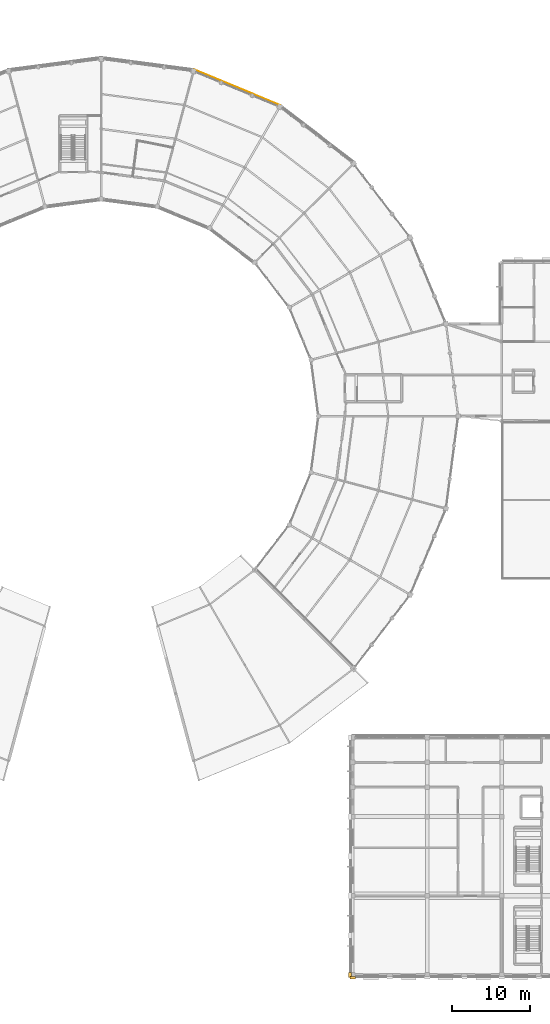
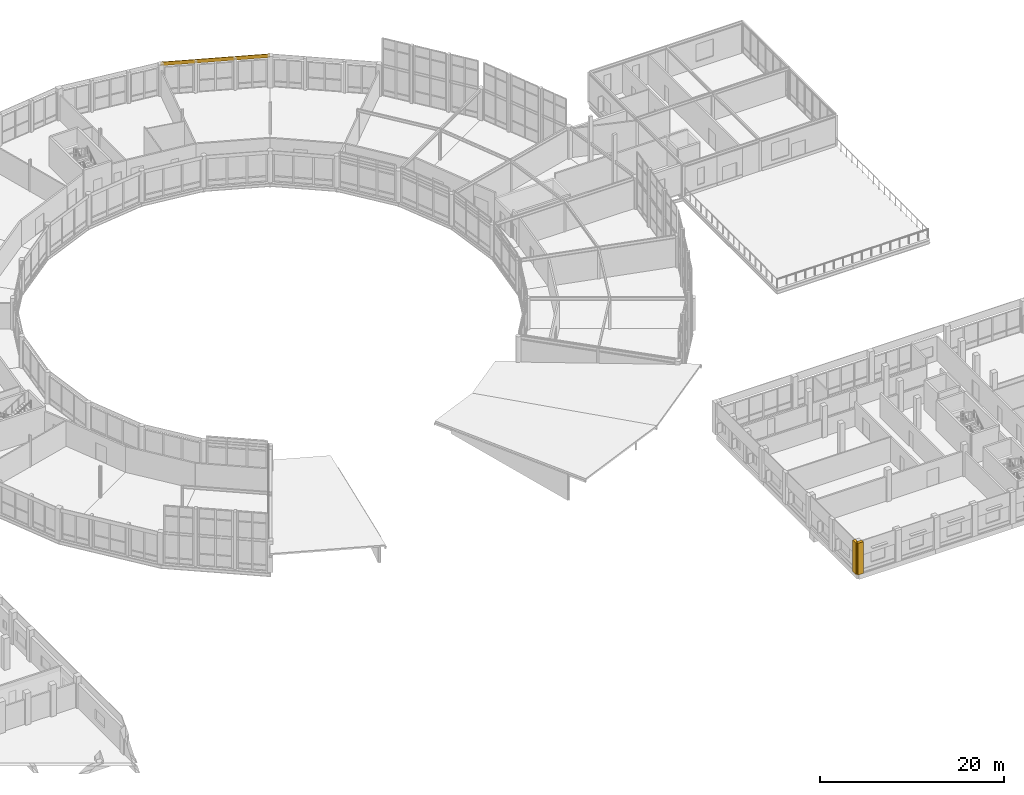
# One storey, part 181 of 185: 3 coverings.
"""IFC4 building model written with IfcOpenShell, lengths in metres."""

from ifc_helpers import new_model, si_unit, direction, frame, origin, origin_2d, place, context, subcontext, project, spatial, rectangle, extrude, material, layer, layer_set, type_object, element, save


model = new_model("IFC4")

# Units and contexts
model_context = context("Model", 3, precision=1e-05, world=origin(), true_north=direction((0.0, 1.0)))
body_context = subcontext(model_context, "Body", "Model", "MODEL_VIEW")
ifc_project = project(units=[si_unit("LENGTHUNIT", "METRE"), si_unit("AREAUNIT", "SQUARE_METRE"), si_unit("VOLUMEUNIT", "CUBIC_METRE"), si_unit("PLANEANGLEUNIT", "RADIAN"), si_unit("MASSUNIT", "GRAM", prefix="KILO")], contexts=[model_context])

# Site, building, storey
site_placement = place(None, origin())
site = spatial("IfcSite", under=ifc_project, at=site_placement, CompositionType="ELEMENT")
building_placement = place(site_placement, origin())
building = spatial("IfcBuilding", under=site, at=building_placement, Name="Vondelvale Polytechnic", CompositionType="ELEMENT")
storey_placement = place(building_placement, frame((0.0, 0.0, 9.60009765625)))
storey = spatial("IfcBuildingStorey", under=building, at=storey_placement, Name="L02", CompositionType="ELEMENT", Elevation=9.60009765625)

# Coverings
ifc_material_1 = material(Name="Amsterdam School iron-spot clinker clay brickwork", Category="masonry")
ifc_layer_1 = layer(ifc_material_1, 0.090087890625)
ifc_layer_set_1 = layer_set([ifc_layer_1], Name="COV-BRICK-RELIEF")
covering_type_1 = type_object("IfcCoveringType", Name="COV-BRICK-RELIEF", PredefinedType="CLADDING", material=ifc_layer_set_1)
covering_1_placement = place(storey_placement, frame((134.39990234375, -0.340087890625, 0.0), z_axis=(0.0, 0.0, 1.0), x_axis=(1.0, 0.0, 0.0)))
element("IfcCovering", 1, at=covering_1_placement, inside=storey, type_object=covering_type_1, Name="L02 Lecture wing giant-order pilaster S", PredefinedType="CLADDING", context=body_context, shape_type="SweptSolid", body=[
    extrude(rectangle(XDim=0.679931640625, YDim=0.360107421875, at=origin_2d()), origin(), (0.0, 0.0, 1.0), 4.199951171875),
])
covering_2_placement = place(storey_placement, frame((134.06005859375, 0.0, 0.0), z_axis=(0.0, 0.0, 1.0), x_axis=(1.0, 0.0, 0.0)))
element("IfcCovering", 2, at=covering_2_placement, inside=storey, type_object=covering_type_1, Name="L02 Lecture wing giant-order pilaster W", PredefinedType="CLADDING", context=body_context, shape_type="SweptSolid", body=[
    extrude(rectangle(XDim=0.360107421875, YDim=0.679931640625, at=origin_2d()), origin(), (0.0, 0.0, 1.0), 4.199951171875),
])
ifc_material_2 = material(Name="Engineered Tasmanian oak studio and bridge joinery")
ifc_layer_2 = layer(ifc_material_2, 0.06494140625)
ifc_layer_set_2 = layer_set([ifc_layer_2], Name="COV-OAK-SPANDREL")
covering_type_2 = type_object("IfcCoveringType", Name="COV-OAK-SPANDREL", PredefinedType="CLADDING", material=ifc_layer_set_2)
covering_3_placement = place(storey_placement, frame((119.533447265625, 114.32958984375, 3.719970703125), z_axis=(0.0, 0.0, 1.0), x_axis=(-0.923879532511, 0.382683432365, 0.0)))
element("IfcCovering", 3, at=covering_3_placement, inside=storey, type_object=covering_type_2, Name="L02 exterior masonry spandrel band", PredefinedType="CLADDING", context=body_context, shape_type="SweptSolid", body=[
    extrude(rectangle(XDim=12.00830078125, YDim=0.06494140625, at=origin_2d()), origin(), (0.0, 0.0, 1.0), 0.47998046875),
])

save(model, "model.ifc")
